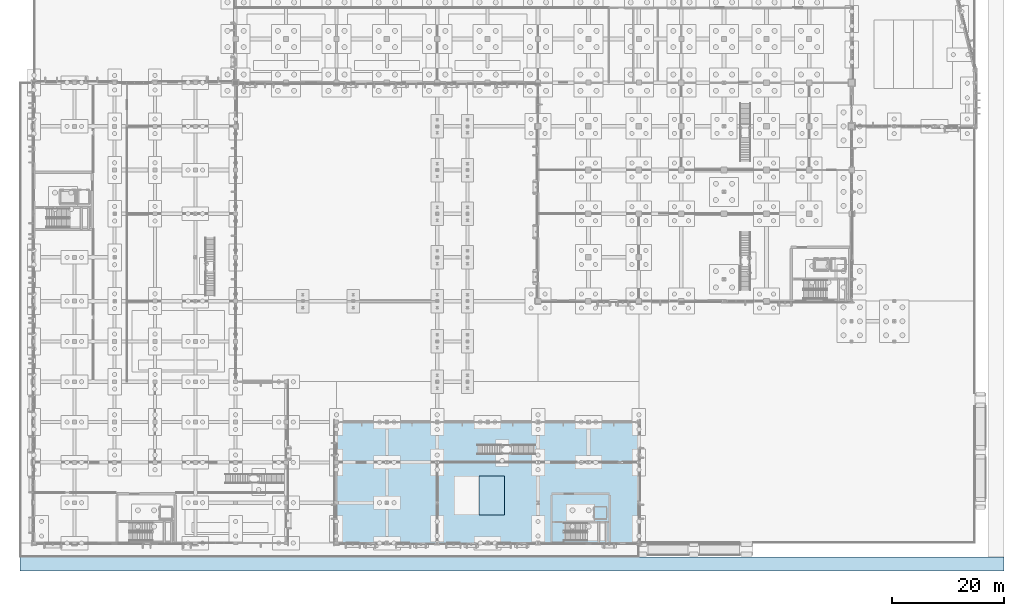
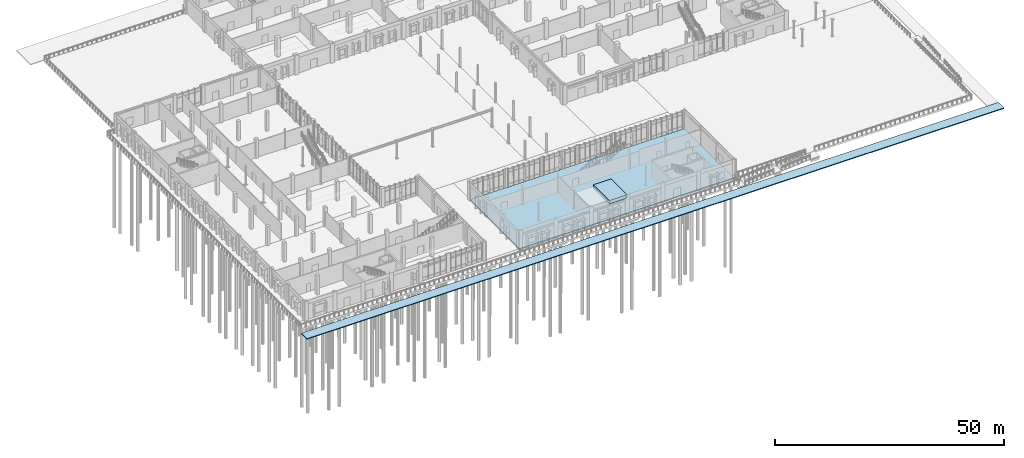
# One storey, part 52 of 94: 3 slabs.
"""IFC4 building model written with IfcOpenShell, lengths in metres."""

from ifc_helpers import new_model, si_unit, direction, frame, origin, place, context, subcontext, project, spatial, polyline, outline, extrude, material, layer, layer_set, type_object, element, save


model = new_model("IFC4")

# Units and contexts
model_context = context("Model", 3, precision=1e-05, world=origin(), true_north=direction((0.0, 1.0)))
body_context = subcontext(model_context, "Body", "Model", "MODEL_VIEW")
ifc_project = project(units=[si_unit("LENGTHUNIT", "METRE"), si_unit("AREAUNIT", "SQUARE_METRE"), si_unit("VOLUMEUNIT", "CUBIC_METRE"), si_unit("PLANEANGLEUNIT", "RADIAN"), si_unit("MASSUNIT", "GRAM", prefix="KILO")], contexts=[model_context])

# Site, building, storey
site_placement = place(None, origin())
site = spatial("IfcSite", under=ifc_project, at=site_placement, CompositionType="ELEMENT")
building_placement = place(site_placement, origin())
building = spatial("IfcBuilding", under=site, at=building_placement, Name="Vervanel Yard Central Library", CompositionType="ELEMENT")
storey_placement = place(building_placement, origin())
storey = spatial("IfcBuildingStorey", under=building, at=storey_placement, Name="L00", CompositionType="ELEMENT", Elevation=0.0)

# Slabs
ifc_material = material(Name="Concrete C40/50", Category="concrete")
ifc_layer_1 = layer(ifc_material, 0.3798828125, Category="concrete")
ifc_layer_set_1 = layer_set([ifc_layer_1], Name="Concrete C40/50")
slab_type_1 = type_object("IfcSlabType", Name="Atrium Plinth Base Slab 380", PredefinedType="BASESLAB", material=ifc_layer_set_1)
slab_1_placement = place(storey_placement, frame((0.0, 0.0, -0.3798828125)))
element("IfcSlab", 1, at=slab_1_placement, inside=storey, type_object=slab_type_1, Name="L00 V5 Atrium Plinth Base Slab 380", PredefinedType="BASESLAB", context=body_context, shape_type="SweptSolid", body=[
    extrude(outline(polyline([(54.0, 0.0), (108.0, 0.0), (108.0, 21.60009765625), (54.0, 21.60009765625), (54.0, 0.0)])), origin(), (0.0, 0.0, 1.0), 0.3798828125),
])
ifc_layer_2 = layer(ifc_material, 0.419921875, Category="concrete")
ifc_layer_set_2 = layer_set([ifc_layer_2], Name="Concrete C40/50")
slab_type_2 = type_object("IfcSlabType", Name="Story Amphitheatre Raked Seating Tier 420", PredefinedType="USERDEFINED", material=ifc_layer_set_2)
slab_2_placement = place(storey_placement, origin())
element("IfcSlab", 2, at=slab_2_placement, inside=storey, type_object=slab_type_2, Name="L00 Raked Seating Tier TIER-V5-L00-2", ObjectType="SEATING TIER", PredefinedType="USERDEFINED", context=body_context, shape_type="SweptSolid", body=[
    extrude(outline(polyline([(79.5, 5.0), (84.0, 5.0), (84.0, 12.0), (79.5, 12.0), (79.5, 5.0)])), origin(), (0.0, 0.0, 1.0), 0.840087890625),
])
ifc_layer_3 = layer(ifc_material, 0.219970703125, Category="concrete")
ifc_layer_set_3 = layer_set([ifc_layer_3], Name="Concrete C40/50")
slab_type_3 = type_object("IfcSlabType", Name="Street Grade Concrete Apron 220", PredefinedType="FLOOR", material=ifc_layer_set_3)
slab_3_placement = place(storey_placement, frame((0.0, 0.0, -1.419921875)))
element("IfcSlab", 3, at=slab_3_placement, inside=storey, type_object=slab_type_3, Name="South Boulevard Street Apron", PredefinedType="FLOOR", context=body_context, shape_type="SweptSolid", body=[
    extrude(outline(polyline([(-2.5, -5.0), (173.199951171875, -5.0), (173.199951171875, -2.5), (-2.5, -2.5), (-2.5, -5.0)])), origin(), (0.0, 0.0, 1.0), 0.219970703125),
])

save(model, "model.ifc")
